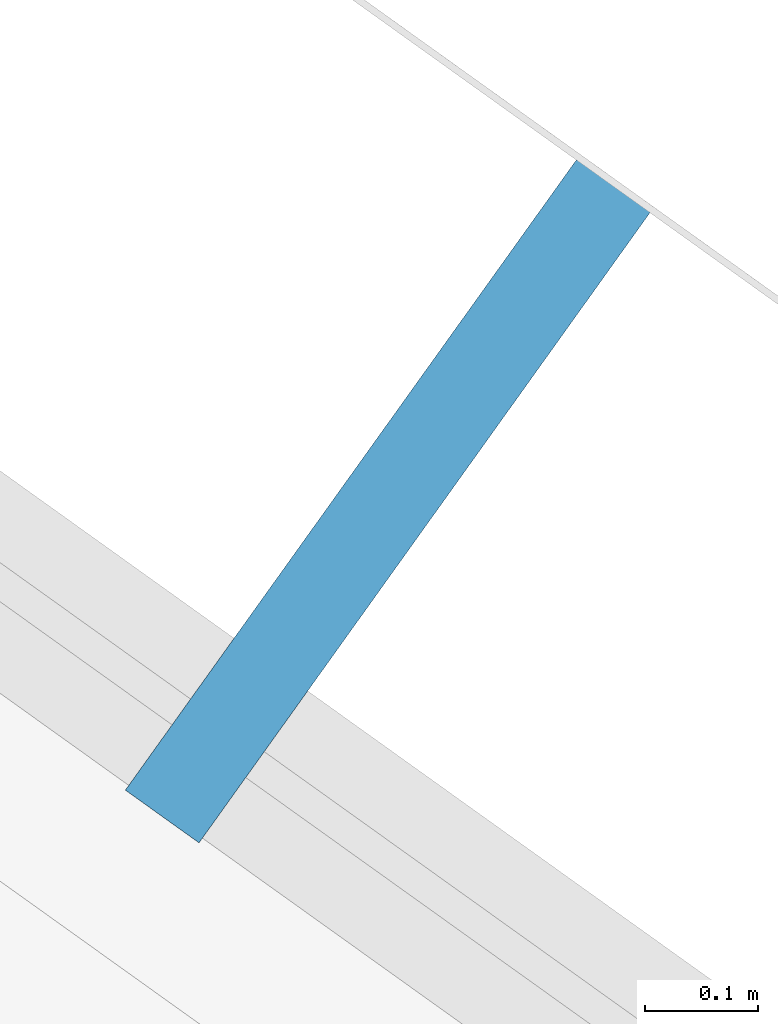
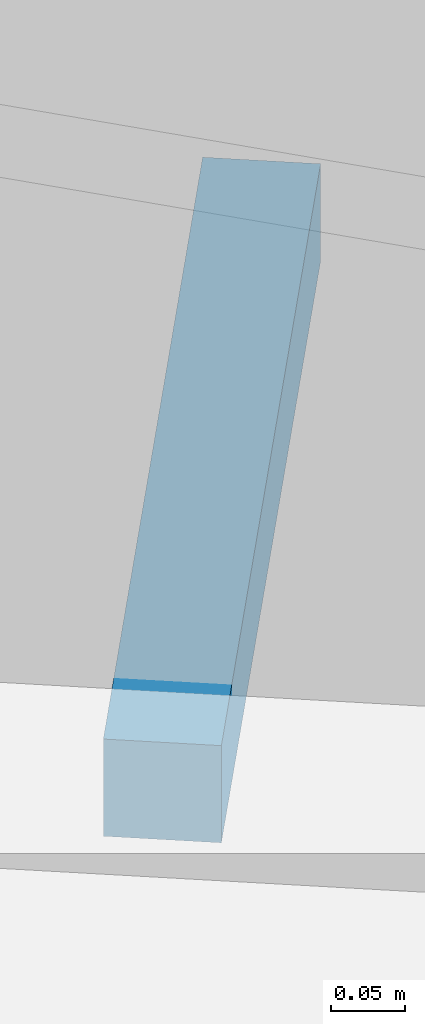
# One storey, part 15 of 18: 1 discrete accessory.
"""IFC4 building model written with IfcOpenShell, lengths in metres."""

from ifc_helpers import new_model, si_unit, direction, frame, origin, origin_2d, place, context, subcontext, project, spatial, rectangle, extrude, element, save


model = new_model("IFC4")

# Units and contexts
model_context = context("Model", 3, precision=1e-05, world=origin(), true_north=direction((0.0, 1.0)))
body_context = subcontext(model_context, "Body", "Model", "MODEL_VIEW")
ifc_project = project(units=[si_unit("LENGTHUNIT", "METRE"), si_unit("AREAUNIT", "SQUARE_METRE"), si_unit("VOLUMEUNIT", "CUBIC_METRE"), si_unit("PLANEANGLEUNIT", "RADIAN"), si_unit("MASSUNIT", "GRAM", prefix="KILO")], contexts=[model_context])

# Site, building, storey
site_placement = place(None, origin())
site = spatial("IfcSite", under=ifc_project, at=site_placement, CompositionType="ELEMENT")
building_placement = place(site_placement, origin())
building = spatial("IfcBuilding", under=site, at=building_placement, Name="Lantaw Convention Tower", CompositionType="ELEMENT")
storey_placement = place(building_placement, frame((0.0, 0.0, 176.199951171875)))
storey = spatial("IfcBuildingStorey", under=building, at=storey_placement, Name="L41", CompositionType="ELEMENT", Elevation=176.199951171875)

# Discrete accessory
discrete_accessory_placement = place(storey_placement, frame((22.044189453125, 14.10546875, -0.114990234375), z_axis=(0.0, 0.0, 1.0), x_axis=(-0.813208325995, 0.581972695693, 0.0)))
element("IfcDiscreteAccessory", 1, at=discrete_accessory_placement, inside=storey, Name="Screen bracket", PredefinedType="BRACKET", context=body_context, shape_type="SweptSolid", body=[
    extrude(rectangle(XDim=0.080078125, YDim=0.68798828125, at=origin_2d()), origin(), (0.0, 0.0, 1.0), 0.080078125),
])

save(model, "model.ifc")
